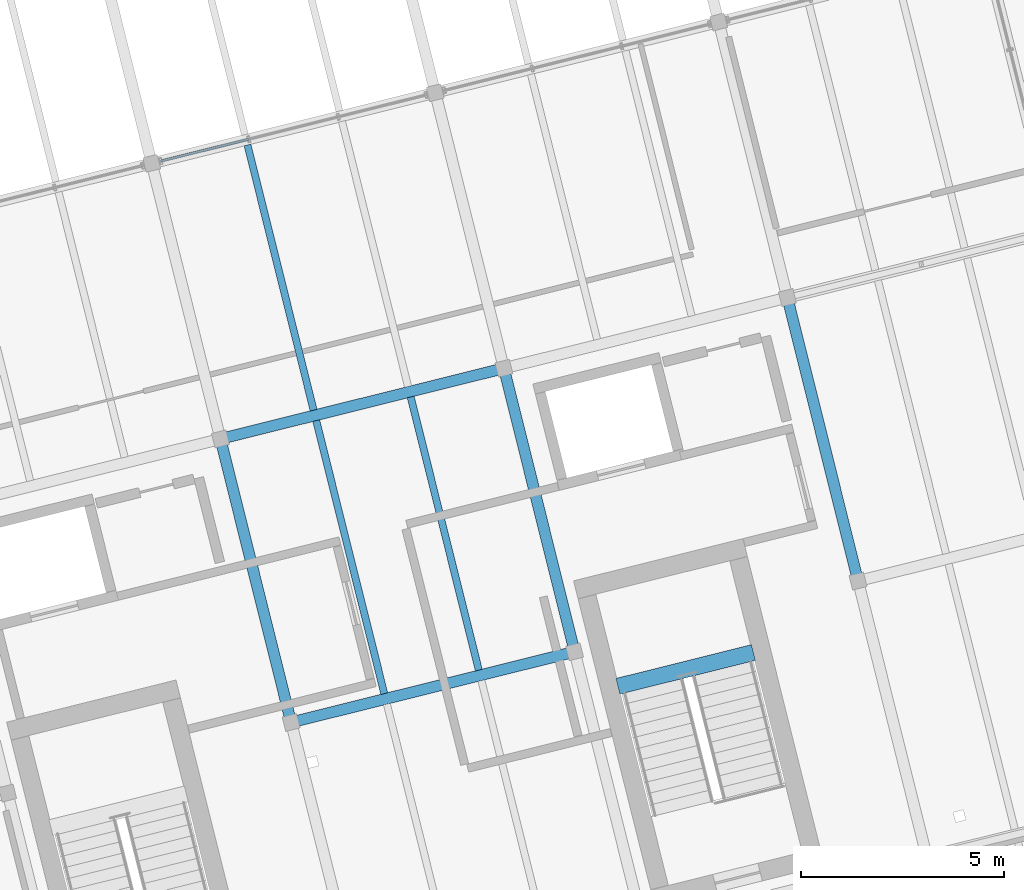
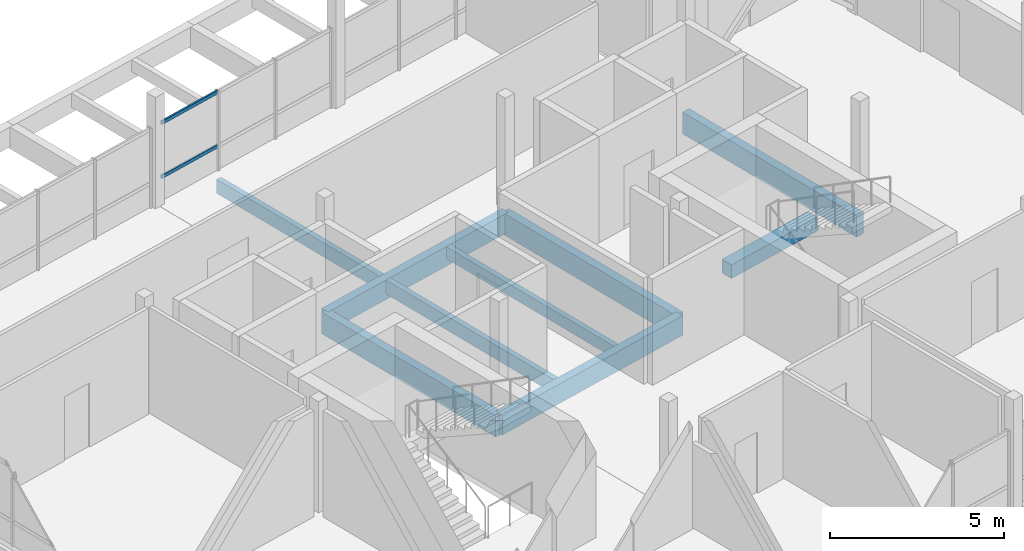
# One storey, part 12 of 28: 9 beams, 2 members, 1 element without a shape of its own.
"""IFC4 building model written with IfcOpenShell, lengths in metres."""

import ifcopenshell
import ifcopenshell.guid

model = None  # the IFC model being written
_history = None  # IfcOwnerHistory: only IFC2X3 demands one
_inside = {}  # id of a spatial element -> (the spatial element, [elements in it])
_under = {}  # id of a project, library or spatial element -> (it, [spatial elements below it])
_declared = {}  # id of a project -> (the project, [libraries it declares])
_typed = {}  # id of a type object -> (the type object, [elements of that type])
_made_of = {}  # id of a material, layer set ... -> (it, [elements and type objects made of it])


def new_model(schema):
    """Start an empty IFC model of exactly this schema.

    Asked for "IFC4X3", IfcOpenShell would pick the latest addendum, in which some entities
    have other attributes; the version numbers below select the first issue.
    IFC2X3 requires an IfcOwnerHistory on every rooted entity: one is made here for all.
    """
    global model, _history
    if schema == "IFC4X3":
        model = ifcopenshell.file(schema_version=(4, 3, 0, 0))
    else:
        model = ifcopenshell.file(schema=schema)
    _inside.clear()
    _under.clear()
    _declared.clear()
    _typed.clear()
    _made_of.clear()
    _history = None
    if model.schema == "IFC2X3":
        org = make("IfcOrganization", Name="unknown")
        user = make(
            "IfcPersonAndOrganization",
            ThePerson=make("IfcPerson", FamilyName="unknown"),
            TheOrganization=org,
        )
        app = make(
            "IfcApplication",
            ApplicationDeveloper=org,
            Version="unknown",
            ApplicationFullName="unknown",
            ApplicationIdentifier="unknown",
        )
        _history = make(
            "IfcOwnerHistory",
            OwningUser=user,
            OwningApplication=app,
            ChangeAction="ADDED",
            CreationDate=0,
        )
    return model


def make(cls, **values):
    """One entity of the class cls with the attributes given. An attribute that is None is left unset."""
    return model.create_entity(
        cls, **{name: value for name, value in values.items() if value is not None}
    )


def rooted(cls, **values):
    """An entity with a GlobalId (a new one), such as an element, a storey or a relation."""
    return make(cls, GlobalId=ifcopenshell.guid.new(), OwnerHistory=_history, **values)


def si_unit(unit_type, name, prefix=None):
    """IfcSIUnit, for example si_unit("LENGTHUNIT", "METRE", prefix="MILLI")."""
    return make("IfcSIUnit", UnitType=unit_type, Prefix=prefix, Name=name)


def assignment(units):
    """IfcUnitAssignment: the units of a project."""
    return None if units is None else make("IfcUnitAssignment", Units=units)


def point(xyz):
    """IfcCartesianPoint."""
    return None if xyz is None else make("IfcCartesianPoint", Coordinates=xyz)


def direction(xyz):
    """IfcDirection."""
    return None if xyz is None else make("IfcDirection", DirectionRatios=xyz)


def frame(location, z_axis=None, x_axis=None):
    """IfcAxis2Placement3D, a coordinate frame: its origin and axes. An axis left out is left unset."""
    return make(
        "IfcAxis2Placement3D",
        Location=point(location),
        Axis=direction(z_axis),
        RefDirection=direction(x_axis),
    )


def frame_2d(location, x_axis=None):
    """IfcAxis2Placement2D, a coordinate frame in the plane: its origin and x axis."""
    return make(
        "IfcAxis2Placement2D", Location=point(location), RefDirection=direction(x_axis)
    )


def origin():
    """The frame at (0, 0, 0) with its axes left unset."""
    return frame((0.0, 0.0, 0.0))


def origin_2d():
    """The frame at (0, 0) in the plane with its x axis left unset."""
    return frame_2d((0.0, 0.0))


def place(relative_to, where):
    """IfcLocalPlacement: puts the frame where relative to a parent placement (None: the world)."""
    return make(
        "IfcLocalPlacement", PlacementRelTo=relative_to, RelativePlacement=where
    )


def context(
    kind, dimensions, precision=None, world=None, true_north=None, identifier=None
):
    """IfcGeometricRepresentationContext, for example the 3D "Model" context."""
    return make(
        "IfcGeometricRepresentationContext",
        ContextIdentifier=identifier,
        ContextType=kind,
        CoordinateSpaceDimension=dimensions,
        Precision=precision,
        WorldCoordinateSystem=world,
        TrueNorth=true_north,
    )


def subcontext(parent, identifier, kind, view, scale=None):
    """IfcGeometricRepresentationSubContext, for example "Body" below "Model"."""
    return make(
        "IfcGeometricRepresentationSubContext",
        ContextIdentifier=identifier,
        ContextType=kind,
        ParentContext=parent,
        TargetScale=scale,
        TargetView=view,
    )


def project(units=None, contexts=None):
    """IfcProject with its units and contexts."""
    return rooted(
        "IfcProject",
        Name="project",
        RepresentationContexts=contexts,
        UnitsInContext=assignment(units),
    )


def spatial(cls, under=None, at=None, **own):
    """A site, building, storey or space (cls), placed at a placement, below another one or the project."""
    s = rooted(cls, ObjectPlacement=at, **own)
    if under is not None:
        _under.setdefault(under.id(), (under, []))[1].append(s)
    return s


def profile(cls, at=None, kind="AREA", **sizes):
    """A parametric profile (cls). Its sizes go by their IFC names, for example OverallWidth=200.0."""
    return make(cls, ProfileType=kind, Position=at, **sizes)


def rectangle(**sizes):
    """IfcRectangleProfileDef."""
    return profile("IfcRectangleProfileDef", **sizes)


def hollow_rectangle(**sizes):
    """IfcRectangleHollowProfileDef."""
    return profile("IfcRectangleHollowProfileDef", **sizes)


def extrude(swept, where, along, depth):
    """IfcExtrudedAreaSolid: the profile swept, set in the frame where, extruded along a direction by depth."""
    return make(
        "IfcExtrudedAreaSolid",
        SweptArea=swept,
        Position=where,
        ExtrudedDirection=direction(along),
        Depth=depth,
    )


def shape(context_of_items, identifier, shape_type, items):
    """IfcShapeRepresentation: the items that make up one representation, for example the "Body"."""
    return make(
        "IfcShapeRepresentation",
        ContextOfItems=context_of_items,
        RepresentationIdentifier=identifier,
        RepresentationType=shape_type,
        Items=items,
    )


def material(Name=None, Category=None):
    """IfcMaterial."""
    return make("IfcMaterial", Name=Name, Category=Category)


def layer(
    of_material, thickness, ventilated=None, Name=None, Category=None, Priority=None
):
    """IfcMaterialLayer: one layer of a wall or slab, of a material (None: an air gap)."""
    return make(
        "IfcMaterialLayer",
        Material=of_material,
        LayerThickness=thickness,
        IsVentilated=ventilated,
        Name=Name,
        Category=Category,
        Priority=Priority,
    )


def layer_set(layers, Name=None):
    """IfcMaterialLayerSet."""
    return make("IfcMaterialLayerSet", MaterialLayers=layers, LayerSetName=Name)


def material_profile(
    of_material, cross_section, Name=None, Category=None, Priority=None
):
    """IfcMaterialProfile: a cross section and its material."""
    return make(
        "IfcMaterialProfile",
        Name=Name,
        Material=of_material,
        Profile=cross_section,
        Priority=Priority,
        Category=Category,
    )


def profile_set(profiles, Name=None, composite=None):
    """IfcMaterialProfileSet."""
    return make(
        "IfcMaterialProfileSet",
        Name=Name,
        MaterialProfiles=profiles,
        CompositeProfile=composite,
    )


def made_of(thing, what):
    """Note that an element or type object is made of a material, layer set ...; save() writes the relation."""
    if what is not None:
        _made_of.setdefault(what.id(), (what, []))[1].append(thing)
    return thing


def type_object(cls, material=None, **own):
    """A type object (cls), such as IfcWallType, which elements share."""
    return made_of(rooted(cls, **own), material)


def element(
    cls,
    number,
    at=None,
    inside=None,
    cuts=None,
    type_object=None,
    material=None,
    context=None,
    identifier="Body",
    shape_type=None,
    held_by="IfcProductDefinitionShape",
    body=None,
    shapes=None,
    **own,
):
    """One element of the class cls, such as IfcWall. Its Tag is "e" and its number.

    at: its placement. inside: the storey or other place that contains it. cuts: it is an
    opening in that element (IfcRelVoidsElement). A single representation is given by context,
    identifier, shape_type and body (its items); several are given by shapes. held_by: the class
    of the entity that holds the representations. save() writes the other relations.
    """
    e = rooted(cls, Tag="e%d" % number, ObjectPlacement=at, **own)
    if body is not None:
        shapes = [shape(context, identifier, shape_type, body)]
    if shapes is not None:
        e.Representation = make(held_by, Representations=shapes)
    if inside is not None:
        _inside.setdefault(inside.id(), (inside, []))[1].append(e)
    if cuts is not None:
        rooted(
            "IfcRelVoidsElement", RelatingBuildingElement=cuts, RelatedOpeningElement=e
        )
    if type_object is not None:
        _typed.setdefault(type_object.id(), (type_object, []))[1].append(e)
    return made_of(e, material)


def aggregate(whole, parts):
    """IfcRelAggregates: a whole, such as a stair, and the parts it consists of."""
    return rooted("IfcRelAggregates", RelatingObject=whole, RelatedObjects=parts)


def save(model, path):
    """Write the relations noted so far, then the file.

    IfcRelAggregates (storeys below a building ...), IfcRelContainedInSpatialStructure (elements
    in a storey), IfcRelDefinesByType, IfcRelAssociatesMaterial and IfcRelDeclares: one each for
    every whole, place, type object, material and project.
    """
    for whole, parts in _under.values():
        aggregate(whole, parts)
    for where, things in _inside.values():
        rooted(
            "IfcRelContainedInSpatialStructure",
            RelatedElements=things,
            RelatingStructure=where,
        )
    for kind, things in _typed.values():
        rooted("IfcRelDefinesByType", RelatedObjects=things, RelatingType=kind)
    for what, things in _made_of.values():
        rooted("IfcRelAssociatesMaterial", RelatedObjects=things, RelatingMaterial=what)
    for by, libraries in _declared.values():
        rooted("IfcRelDeclares", RelatingContext=by, RelatedDefinitions=libraries)
    model.write(path)


model = new_model("IFC4")

# Units and contexts
model_context = context("Model", 3, precision=1e-05, world=origin(), true_north=direction((0.0, 1.0)))
body_context = subcontext(model_context, "Body", "Model", "MODEL_VIEW")
ifc_project = project(units=[si_unit("LENGTHUNIT", "METRE"), si_unit("AREAUNIT", "SQUARE_METRE"), si_unit("VOLUMEUNIT", "CUBIC_METRE"), si_unit("PLANEANGLEUNIT", "RADIAN"), si_unit("MASSUNIT", "GRAM", prefix="KILO")], contexts=[model_context])

# Site, building, storey
site_placement = place(None, origin())
site = spatial("IfcSite", under=ifc_project, at=site_placement, CompositionType="ELEMENT")
building_placement = place(site_placement, origin())
building = spatial("IfcBuilding", under=site, at=building_placement, Name="Meriwether Solvik Hall", CompositionType="ELEMENT")
storey_placement = place(building_placement, frame((0.0, 0.0, 45.60009765625)))
storey = spatial("IfcBuildingStorey", under=building, at=storey_placement, Name="L11", CompositionType="ELEMENT", Elevation=45.60009765625)

# Beams
ifc_material_1 = material(Name="Glulam Douglas-Fir 24F-V8 GL28h", Category="wood")
ifc_material_profile_1 = material_profile(ifc_material_1, rectangle(XDim=0.27294921875, YDim=0.68505859375, at=origin_2d()), Name="GLB-273X685")
ifc_profile_set_1 = profile_set([ifc_material_profile_1], Name="Glulam Douglas-Fir 24F-V8 GL28h")
beam_type_1 = type_object("IfcBeamType", Name="BM-GL-273X685", PredefinedType="BEAM", material=ifc_profile_set_1)
for number, where, z_axis, x_axis, name in (
    (1, (79.621826171875, 58.17041015625, -0.54248046875), (0.970291911955, 0.241937193493, 0.0), (-0.241937193493, 0.970291911955, 0.0), "Tower Girder TC:T3-T4 (L11)"),
    (2, (77.880126953125, 65.15673828125, -0.54248046875), (0.970299871507, 0.241905269381, 0.0), (-0.241905269381, 0.970299871507, 0.0), "Tower Girder TD:T3-T4 (L11)"),
):
    element("IfcBeam", number, at=place(storey_placement, frame(where, z_axis=z_axis, x_axis=x_axis)), inside=storey, type_object=beam_type_1, Name=name, PredefinedType="BEAM", context=body_context, shape_type="SweptSolid", body=[
        extrude(rectangle(XDim=0.27294921875, YDim=0.68505859375, at=origin_2d()), origin(), (0.0, 0.0, 1.0), 7.199951171875),
    ])
ifc_material_2 = material(Name="Glulam Douglas-Fir 24F-V8 GL28h", Category="wood")
ifc_material_profile_2 = material_profile(ifc_material_2, rectangle(XDim=0.27294921875, YDim=0.760009765625, at=origin_2d()), Name="GLB-273X760")
ifc_profile_set_2 = profile_set([ifc_material_profile_2], Name="Glulam Douglas-Fir 24F-V8 GL28h")
beam_type_2 = type_object("IfcBeamType", Name="BM-GL-273X760", PredefinedType="BEAM", material=ifc_profile_set_2)
beam_1_placement = place(storey_placement, frame((79.621826171875, 58.17041015625, -0.580078125), z_axis=(-0.241897310542, 0.970301855688, 0.0), x_axis=(-0.970301855688, -0.241897310542, 0.0)))
element("IfcBeam", 3, at=beam_1_placement, inside=storey, type_object=beam_type_2, Name="Tower Girder T3:TC-TD (L11)", PredefinedType="BEAM", context=body_context, shape_type="SweptSolid", body=[
    extrude(rectangle(XDim=0.27294921875, YDim=0.760009765625, at=origin_2d()), origin(), (0.0, 0.0, 1.0), 7.2001953125),
])
for number, where, z_axis, x_axis, name in (
    (4, (86.60791015625, 59.912353515625, -0.580078125), (-0.241905269381, 0.970299871507, 0.0), (-0.970299871507, -0.241905269381, 0.0), "Tower Girder T4:TC-TD (L11)"),
    (5, (93.593994140625, 61.654296875, -0.580078125), (-0.241905269381, 0.970299871507, 0.0), (-0.970299871507, -0.241905269381, 0.0), "Tower Girder T5:TC-TD (L11)"),
):
    element("IfcBeam", number, at=place(storey_placement, frame(where, z_axis=z_axis, x_axis=x_axis)), inside=storey, type_object=beam_type_2, Name=name, PredefinedType="BEAM", context=body_context, shape_type="SweptSolid", body=[
        extrude(rectangle(XDim=0.27294921875, YDim=0.760009765625, at=origin_2d()), origin(), (0.0, 0.0, 1.0), 7.199951171875),
    ])
ifc_material_3 = material(Name="Concrete C40/50", Category="concrete")
ifc_material_profile_3 = material_profile(ifc_material_3, rectangle(XDim=0.39990234375, YDim=0.47998046875, at=origin_2d()), Name="RCB-400X480")
ifc_profile_set_3 = profile_set([ifc_material_profile_3], Name="Concrete C40/50")
beam_type_3 = type_object("IfcBeamType", Name="BM-LND-RC-400X480", PredefinedType="BEAM", material=ifc_profile_set_3)
beam_2_placement = place(storey_placement, frame((87.67578125, 59.060302734375, 1.510009765625), z_axis=(0.970292601873, 0.24193442655, 0.0), x_axis=(-0.24193442655, 0.970292601873, 0.0)))
element("IfcBeam", 6, at=beam_2_placement, inside=storey, type_object=beam_type_3, Name="Stair ST-02 Half-Landing Header Beam (L11)", PredefinedType="BEAM", context=body_context, shape_type="SweptSolid", body=[
    extrude(rectangle(XDim=0.39990234375, YDim=0.47998046875, at=origin_2d()), origin(), (0.0, 0.0, 1.0), 3.440185546875),
])

# Curtain wall, members
ifc_material_4 = material(Name="Thermally Broken Anodised Aluminium 6063-T6 and Low-E Glass", Category="aluminium")
ifc_layer = layer(ifc_material_4, 0.179931640625)
ifc_layer_set = layer_set([ifc_layer], Name="Thermally Broken Anodised Aluminium 6063-T6 and Low-E Glass")
curtain_wall_type = type_object("IfcCurtainWallType", Name="CW-UNIT-F", PredefinedType="USERDEFINED", material=ifc_layer_set)
curtain_wall_placement = place(storey_placement, origin())
curtain_wall = element("IfcCurtainWall", 7, at=curtain_wall_placement, inside=storey, type_object=curtain_wall_type, Name="Curtain Wall E2_B2 (L11)", ObjectType="UNITISED CURTAIN WALL", PredefinedType="USERDEFINED")
ifc_material_5 = material(Name="Anodised Aluminium 6063-T6", Category="aluminium")
ifc_material_profile_4 = material_profile(ifc_material_5, hollow_rectangle(XDim=0.06005859375, YDim=0.1201171875, WallThickness=0.00390625, at=origin_2d()), Name="CWT-60X120")
ifc_profile_set_4 = profile_set([ifc_material_profile_4], Name="Anodised Aluminium 6063-T6")
member_type = type_object("IfcMemberType", Name="CW-TRN-60X120", PredefinedType="USERDEFINED", material=ifc_profile_set_4)
member_1_placement = place(storey_placement, frame((76.412109375, 72.0048828125, 0.8369140625), z_axis=(0.970296702868, 0.241917978668, 0.0), x_axis=(-0.241917978668, 0.970296702868, 0.0)))
member_1 = element("IfcMember", 8, at=member_1_placement, type_object=member_type, Name="Curtain Wall Transom 1-sill", ObjectType="TRANSOM", PredefinedType="USERDEFINED", context=body_context, shape_type="SweptSolid", body=[
    extrude(hollow_rectangle(XDim=0.06005859375, YDim=0.1201171875, WallThickness=0.00390625, at=origin_2d()), origin(), (0.0, 0.0, 1.0), 2.232421875),
])
member_2_placement = place(storey_placement, frame((76.412109375, 72.0048828125, 2.72998046875), z_axis=(0.970296702868, 0.241917978668, 0.0), x_axis=(-0.241917978668, 0.970296702868, 0.0)))
member_2 = element("IfcMember", 9, at=member_2_placement, type_object=member_type, Name="Curtain Wall Transom 1-head", ObjectType="TRANSOM", PredefinedType="USERDEFINED", context=body_context, shape_type="SweptSolid", body=[
    extrude(hollow_rectangle(XDim=0.06005859375, YDim=0.1201171875, WallThickness=0.00390625, at=origin_2d()), origin(), (0.0, 0.0, 1.0), 2.232421875),
])
aggregate(curtain_wall, [member_1, member_2])

# Beams
ifc_material_6 = material(Name="Glulam Douglas-Fir 24F-V8 GL28h", Category="wood")
ifc_material_profile_5 = material_profile(ifc_material_6, rectangle(XDim=0.175048828125, YDim=0.419921875, at=origin_2d()), Name="GLJ-175X420")
ifc_profile_set_5 = profile_set([ifc_material_profile_5], Name="Glulam Douglas-Fir 24F-V8 GL28h")
beam_type_4 = type_object("IfcBeamType", Name="JST-GL-175X420", PredefinedType="JOIST", material=ifc_profile_set_5)
beam_3_placement = place(storey_placement, frame((84.24755859375, 59.459228515625, -0.41015625), z_axis=(-0.241922788949, 0.970295503539, 0.0), x_axis=(-0.970295503539, -0.241922788949, 0.0)))
element("IfcBeam", 10, at=beam_3_placement, inside=storey, type_object=beam_type_4, Name="Glulam Floor Joist T3/TC-J2 (L11)", PredefinedType="JOIST", context=body_context, shape_type="SweptSolid", body=[
    extrude(rectangle(XDim=0.175048828125, YDim=0.419921875, at=origin_2d()), origin(), (0.0, 0.0, 1.0), 6.93701171875),
])
ifc_material_7 = material(Name="Glulam Douglas-Fir 24F-V8 GL28h", Category="wood")
ifc_material_profile_6 = material_profile(ifc_material_7, rectangle(XDim=0.175048828125, YDim=0.4951171875, at=origin_2d()), Name="GLJ-175X495")
ifc_profile_set_6 = profile_set([ifc_material_profile_6], Name="Glulam Douglas-Fir 24F-V8 GL28h")
beam_type_5 = type_object("IfcBeamType", Name="JST-GL-175X495", PredefinedType="JOIST", material=ifc_profile_set_6)
beam_4_placement = place(storey_placement, frame((81.918701171875, 58.878662109375, -0.447509765625), z_axis=(-0.241922788949, 0.970295503539, 0.0), x_axis=(-0.970295503539, -0.241922788949, 0.0)))
element("IfcBeam", 11, at=beam_4_placement, inside=storey, type_object=beam_type_5, Name="Glulam Floor Joist T3/TC-J1 (L11)", PredefinedType="JOIST", context=body_context, shape_type="SweptSolid", body=[
    extrude(rectangle(XDim=0.175048828125, YDim=0.4951171875, at=origin_2d()), origin(), (0.0, 0.0, 1.0), 6.93701171875),
])
beam_5_placement = place(storey_placement, frame((80.177001953125, 65.86474609375, -0.447509765625), z_axis=(-0.241921670289, 0.970295782452, 0.0), x_axis=(-0.970295782452, -0.241921670289, 0.0)))
element("IfcBeam", 12, at=beam_5_placement, inside=storey, type_object=beam_type_5, Name="Glulam Floor Joist T3/TD-J1 (L11)", PredefinedType="JOIST", context=body_context, shape_type="SweptSolid", body=[
    extrude(rectangle(XDim=0.175048828125, YDim=0.4951171875, at=origin_2d()), origin(), (0.0, 0.0, 1.0), 6.7373046875),
])

save(model, "model.ifc")
